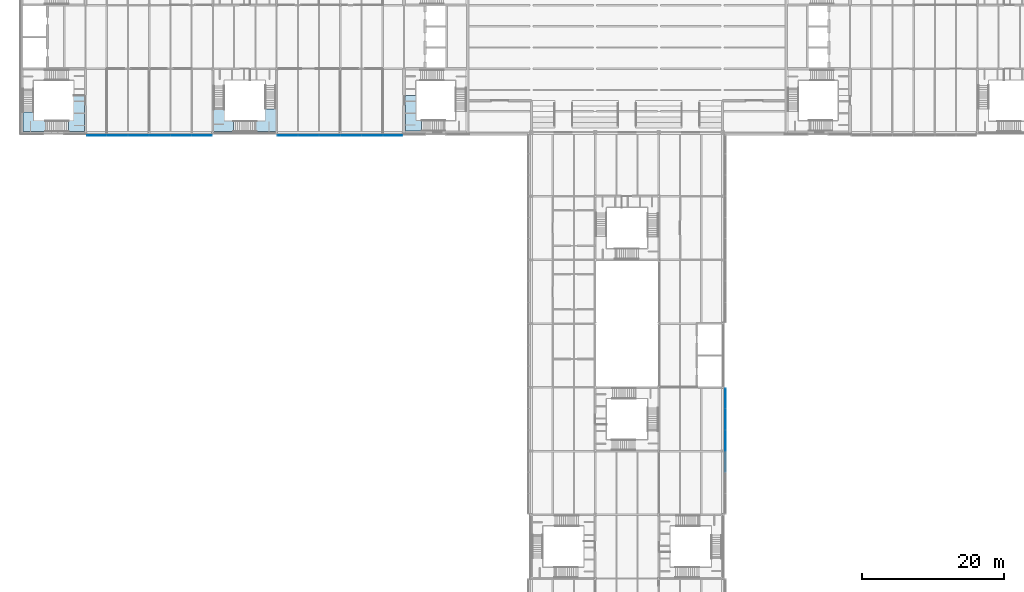
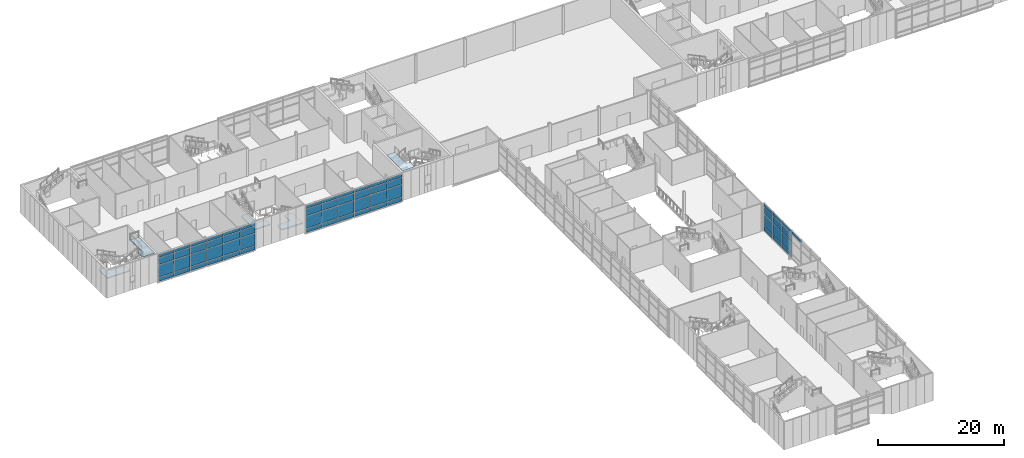
# One storey, part 27 of 52: 61 plates, 5 slabs, 6 elements without a shape of their own.
"""IFC4 building model written with IfcOpenShell, lengths in metres."""

from ifc_helpers import new_model, si_unit, direction, frame, origin, origin_2d, place, context, subcontext, project, spatial, polyline, rectangle, outline, extrude, material, layer, layer_set, type_object, element, aggregate, save


model = new_model("IFC4")

# Units and contexts
model_context = context("Model", 3, precision=1e-05, world=origin(), true_north=direction((0.0, 1.0)))
body_context = subcontext(model_context, "Body", "Model", "MODEL_VIEW")
ifc_project = project(units=[si_unit("LENGTHUNIT", "METRE"), si_unit("AREAUNIT", "SQUARE_METRE"), si_unit("VOLUMEUNIT", "CUBIC_METRE"), si_unit("PLANEANGLEUNIT", "RADIAN"), si_unit("MASSUNIT", "GRAM", prefix="KILO")], contexts=[model_context])

# Site, building, storey
site_placement = place(None, origin())
site = spatial("IfcSite", under=ifc_project, at=site_placement, CompositionType="ELEMENT")
building_placement = place(site_placement, origin())
building = spatial("IfcBuilding", under=site, at=building_placement, Name="Azimuth Sports and Learning Centre", CompositionType="ELEMENT")
storey_placement = place(building_placement, frame((0.0, 0.0, 16.199951171875)))
storey = spatial("IfcBuildingStorey", under=building, at=storey_placement, Name="L03", CompositionType="ELEMENT", Elevation=16.199951171875)

# Stair, slab
ifc_material_1 = material(Name="Concrete C32/40", Category="concrete")
stair_type_1 = type_object("IfcStairType", Name="Square-well stair core 5400 storey", PredefinedType="THREE_QUARTER_TURN_STAIR", material=ifc_material_1)
stair_1_placement = place(storey_placement, origin())
stair_1 = element("IfcStair", 1, at=stair_1_placement, inside=storey, type_object=stair_type_1, Name="Stair W1 L03-L04", PredefinedType="THREE_QUARTER_TURN_STAIR")
ifc_material_2 = material(Name="Concrete C32/40", Category="concrete")
ifc_layer_1 = layer(ifc_material_2, 0.199951171875)
ifc_layer_set_1 = layer_set([ifc_layer_1], Name="Concrete C32/40")
slab_type = type_object("IfcSlabType", Name="Concrete stair landing", PredefinedType="LANDING", material=ifc_layer_set_1)
slab_1_placement = place(storey_placement, frame((0.0, 0.0, 5.199951171875)))
slab_1 = element("IfcSlab", 2, at=slab_1_placement, type_object=slab_type, Name="Stair W1 L03 landing 4", PredefinedType="LANDING", context=body_context, shape_type="SweptSolid", body=[
    extrude(outline(polyline([(55.7099609375, 91.7099609375), (55.7099609375, 95.25), (54.2099609375, 95.25), (54.2099609375, 90.2099609375), (56.49072265625, 90.2099609375), (56.49072265625, 91.7099609375), (55.7099609375, 91.7099609375)])), origin(), (0.0, 0.0, 1.0), 0.2001953125),
])
aggregate(stair_1, [slab_1])

# Stair, slabs
ifc_material_3 = material(Name="Concrete C32/40", Category="concrete")
stair_type_2 = type_object("IfcStairType", Name="Square-well stair end core 5400 storey", PredefinedType="THREE_QUARTER_TURN_STAIR", material=ifc_material_3)
stair_2_placement = place(storey_placement, origin())
stair_2 = element("IfcStair", 3, at=stair_2_placement, inside=storey, type_object=stair_type_2, Name="Stair WW1 L03-L04", PredefinedType="THREE_QUARTER_TURN_STAIR")
slab_2_placement = place(storey_placement, frame((0.0, 0.0, 3.400146484375)))
slab_2 = element("IfcSlab", 4, at=slab_2_placement, type_object=slab_type, Name="Stair WW1 L03 landing 3", PredefinedType="LANDING", context=body_context, shape_type="SweptSolid", body=[
    extrude(outline(polyline([(1.659912109375, 91.659912109375), (1.659912109375, 92.86572265625), (0.159912109375, 92.86572265625), (0.159912109375, 90.159912109375), (4.409912109375, 90.159912109375), (4.409912109375, 91.659912109375), (1.659912109375, 91.659912109375)])), origin(), (0.0, 0.0, 1.0), 0.199951171875),
])
slab_3_placement = place(storey_placement, frame((0.0, 0.0, 5.199951171875)))
slab_3 = element("IfcSlab", 5, at=slab_3_placement, type_object=slab_type, Name="Stair WW1 L03 landing 4", PredefinedType="LANDING", context=body_context, shape_type="SweptSolid", body=[
    extrude(outline(polyline([(7.340087890625, 91.659912109375), (6.609375, 91.659912109375), (6.609375, 90.159912109375), (8.840087890625, 90.159912109375), (8.840087890625, 95.25), (7.340087890625, 95.25), (7.340087890625, 91.659912109375)])), origin(), (0.0, 0.0, 1.0), 0.2001953125),
])
aggregate(stair_2, [slab_2, slab_3])

ifc_material_4 = material(Name="Concrete C32/40", Category="concrete")
stair_type_3 = type_object("IfcStairType", Name="Square-well stair mid-wing cell 5400 storey", PredefinedType="THREE_QUARTER_TURN_STAIR", material=ifc_material_4)
stair_3_placement = place(storey_placement, origin())
stair_3 = element("IfcStair", 6, at=stair_3_placement, inside=storey, type_object=stair_type_3, Name="Stair WM1 L03-L04", PredefinedType="THREE_QUARTER_TURN_STAIR")
slab_4_placement = place(storey_placement, frame((0.0, 0.0, 1.60009765625)))
slab_4 = element("IfcSlab", 7, at=slab_4_placement, type_object=slab_type, Name="Stair WM1 L03 landing 2", PredefinedType="LANDING", context=body_context, shape_type="SweptSolid", body=[
    extrude(outline(polyline([(34.389892578125, 91.610107421875), (32.090087890625, 91.610107421875), (32.090087890625, 90.110107421875), (35.889892578125, 90.110107421875), (35.889892578125, 93.3408203125), (34.389892578125, 93.3408203125), (34.389892578125, 91.610107421875)])), origin(), (0.0, 0.0, 1.0), 0.199951171875),
])
slab_5_placement = place(storey_placement, frame((0.0, 0.0, 3.400146484375)))
slab_5 = element("IfcSlab", 8, at=slab_5_placement, type_object=slab_type, Name="Stair WM1 L03 landing 3", PredefinedType="LANDING", context=body_context, shape_type="SweptSolid", body=[
    extrude(outline(polyline([(28.610107421875, 91.610107421875), (28.610107421875, 94.360107421875), (27.110107421875, 94.360107421875), (27.110107421875, 90.110107421875), (29.890625, 90.110107421875), (29.890625, 91.610107421875), (28.610107421875, 91.610107421875)])), origin(), (0.0, 0.0, 1.0), 0.199951171875),
])
aggregate(stair_3, [slab_4, slab_5])

# Curtain wall, plates
ifc_material_5 = material(Name="Aluminium and glass", Category="aluminium")
curtain_wall_type_1 = type_object("IfcCurtainWallType", Name="Curtain wall podium wing 240", PredefinedType="NOTDEFINED", material=ifc_material_5)
curtain_wall_1_placement = place(storey_placement, origin())
curtain_wall_1 = element("IfcCurtainWall", 9, at=curtain_wall_1_placement, inside=storey, type_object=curtain_wall_type_1, Name="Curtain wall CW03-001", PredefinedType="NOTDEFINED")
ifc_material_6 = material(Name="Insulated aluminium panel", Category="aluminium")
ifc_layer_2 = layer(ifc_material_6, 0.06005859375)
ifc_layer_set_2 = layer_set([ifc_layer_2], Name="Insulated aluminium panel")
plate_type_1 = type_object("IfcPlateType", Name="Spandrel panel 60 mm", PredefinedType="CURTAIN_PANEL", material=ifc_layer_set_2)
plate_1_placement = place(storey_placement, frame((10.594970703125, 89.580078125, 0.1201171875), z_axis=(0.0, 0.0, 1.0), x_axis=(1.0, 0.0, 0.0)))
plate_1 = element("IfcPlate", 10, at=plate_1_placement, type_object=plate_type_1, Name="CW03-001 panel 1.1", PredefinedType="CURTAIN_PANEL", context=body_context, shape_type="SweptSolid", body=[
    extrude(rectangle(XDim=2.72998046875, YDim=0.06005859375, at=origin_2d()), origin(), (0.0, 0.0, 1.0), 0.719970703125),
])
plate_2_placement = place(storey_placement, frame((10.594970703125, 89.580078125, 4.760009765625), z_axis=(0.0, 0.0, 1.0), x_axis=(1.0, 0.0, 0.0)))
plate_2 = element("IfcPlate", 11, at=plate_2_placement, type_object=plate_type_1, Name="CW03-001 panel 1.4", PredefinedType="CURTAIN_PANEL", context=body_context, shape_type="SweptSolid", body=[
    extrude(rectangle(XDim=2.72998046875, YDim=0.06005859375, at=origin_2d()), origin(), (0.0, 0.0, 1.0), 0.52001953125),
])
plate_3_placement = place(storey_placement, frame((13.5, 89.580078125, 0.1201171875), z_axis=(0.0, 0.0, 1.0), x_axis=(1.0, 0.0, 0.0)))
plate_3 = element("IfcPlate", 12, at=plate_3_placement, type_object=plate_type_1, Name="CW03-001 panel 2.1", PredefinedType="CURTAIN_PANEL", context=body_context, shape_type="SweptSolid", body=[
    extrude(rectangle(XDim=2.919921875, YDim=0.06005859375, at=origin_2d()), origin(), (0.0, 0.0, 1.0), 0.719970703125),
])
plate_4_placement = place(storey_placement, frame((13.5, 89.580078125, 4.760009765625), z_axis=(0.0, 0.0, 1.0), x_axis=(1.0, 0.0, 0.0)))
plate_4 = element("IfcPlate", 13, at=plate_4_placement, type_object=plate_type_1, Name="CW03-001 panel 2.4", PredefinedType="CURTAIN_PANEL", context=body_context, shape_type="SweptSolid", body=[
    extrude(rectangle(XDim=2.919921875, YDim=0.06005859375, at=origin_2d()), origin(), (0.0, 0.0, 1.0), 0.52001953125),
])
plate_5_placement = place(storey_placement, frame((16.5, 89.580078125, 0.1201171875), z_axis=(0.0, 0.0, 1.0), x_axis=(1.0, 0.0, 0.0)))
plate_5 = element("IfcPlate", 14, at=plate_5_placement, type_object=plate_type_1, Name="CW03-001 panel 3.1", PredefinedType="CURTAIN_PANEL", context=body_context, shape_type="SweptSolid", body=[
    extrude(rectangle(XDim=2.919921875, YDim=0.06005859375, at=origin_2d()), origin(), (0.0, 0.0, 1.0), 0.719970703125),
])
plate_6_placement = place(storey_placement, frame((16.5, 89.580078125, 4.760009765625), z_axis=(0.0, 0.0, 1.0), x_axis=(1.0, 0.0, 0.0)))
plate_6 = element("IfcPlate", 15, at=plate_6_placement, type_object=plate_type_1, Name="CW03-001 panel 3.4", PredefinedType="CURTAIN_PANEL", context=body_context, shape_type="SweptSolid", body=[
    extrude(rectangle(XDim=2.919921875, YDim=0.06005859375, at=origin_2d()), origin(), (0.0, 0.0, 1.0), 0.52001953125),
])
plate_7_placement = place(storey_placement, frame((19.5, 89.580078125, 0.1201171875), z_axis=(0.0, 0.0, 1.0), x_axis=(1.0, 0.0, 0.0)))
plate_7 = element("IfcPlate", 16, at=plate_7_placement, type_object=plate_type_1, Name="CW03-001 panel 4.1", PredefinedType="CURTAIN_PANEL", context=body_context, shape_type="SweptSolid", body=[
    extrude(rectangle(XDim=2.919921875, YDim=0.06005859375, at=origin_2d()), origin(), (0.0, 0.0, 1.0), 0.719970703125),
])
plate_8_placement = place(storey_placement, frame((19.5, 89.580078125, 4.760009765625), z_axis=(0.0, 0.0, 1.0), x_axis=(1.0, 0.0, 0.0)))
plate_8 = element("IfcPlate", 17, at=plate_8_placement, type_object=plate_type_1, Name="CW03-001 panel 4.4", PredefinedType="CURTAIN_PANEL", context=body_context, shape_type="SweptSolid", body=[
    extrude(rectangle(XDim=2.919921875, YDim=0.06005859375, at=origin_2d()), origin(), (0.0, 0.0, 1.0), 0.52001953125),
])
plate_9_placement = place(storey_placement, frame((22.5, 89.580078125, 0.1201171875), z_axis=(0.0, 0.0, 1.0), x_axis=(1.0, 0.0, 0.0)))
plate_9 = element("IfcPlate", 18, at=plate_9_placement, type_object=plate_type_1, Name="CW03-001 panel 5.1", PredefinedType="CURTAIN_PANEL", context=body_context, shape_type="SweptSolid", body=[
    extrude(rectangle(XDim=2.919921875, YDim=0.06005859375, at=origin_2d()), origin(), (0.0, 0.0, 1.0), 0.719970703125),
])
plate_10_placement = place(storey_placement, frame((22.5, 89.580078125, 4.760009765625), z_axis=(0.0, 0.0, 1.0), x_axis=(1.0, 0.0, 0.0)))
plate_10 = element("IfcPlate", 19, at=plate_10_placement, type_object=plate_type_1, Name="CW03-001 panel 5.4", PredefinedType="CURTAIN_PANEL", context=body_context, shape_type="SweptSolid", body=[
    extrude(rectangle(XDim=2.919921875, YDim=0.06005859375, at=origin_2d()), origin(), (0.0, 0.0, 1.0), 0.52001953125),
])
plate_11_placement = place(storey_placement, frame((25.429931640625, 89.580078125, 0.1201171875), z_axis=(0.0, 0.0, 1.0), x_axis=(1.0, 0.0, 0.0)))
plate_11 = element("IfcPlate", 20, at=plate_11_placement, type_object=plate_type_1, Name="CW03-001 panel 6.1", PredefinedType="CURTAIN_PANEL", context=body_context, shape_type="SweptSolid", body=[
    extrude(rectangle(XDim=2.780029296875, YDim=0.06005859375, at=origin_2d()), origin(), (0.0, 0.0, 1.0), 0.719970703125),
])
plate_12_placement = place(storey_placement, frame((25.429931640625, 89.580078125, 4.760009765625), z_axis=(0.0, 0.0, 1.0), x_axis=(1.0, 0.0, 0.0)))
plate_12 = element("IfcPlate", 21, at=plate_12_placement, type_object=plate_type_1, Name="CW03-001 panel 6.4", PredefinedType="CURTAIN_PANEL", context=body_context, shape_type="SweptSolid", body=[
    extrude(rectangle(XDim=2.780029296875, YDim=0.06005859375, at=origin_2d()), origin(), (0.0, 0.0, 1.0), 0.52001953125),
])

curtain_wall_2_placement = place(storey_placement, origin())
curtain_wall_2 = element("IfcCurtainWall", 22, at=curtain_wall_2_placement, inside=storey, type_object=curtain_wall_type_1, Name="Curtain wall CW03-002", PredefinedType="NOTDEFINED")
plate_13_placement = place(storey_placement, frame((37.570068359375, 89.580078125, 0.1201171875), z_axis=(0.0, 0.0, 1.0), x_axis=(1.0, 0.0, 0.0)))
plate_13 = element("IfcPlate", 23, at=plate_13_placement, type_object=plate_type_1, Name="CW03-002 panel 1.1", PredefinedType="CURTAIN_PANEL", context=body_context, shape_type="SweptSolid", body=[
    extrude(rectangle(XDim=2.780029296875, YDim=0.06005859375, at=origin_2d()), origin(), (0.0, 0.0, 1.0), 0.719970703125),
])
plate_14_placement = place(storey_placement, frame((37.570068359375, 89.580078125, 4.760009765625), z_axis=(0.0, 0.0, 1.0), x_axis=(1.0, 0.0, 0.0)))
plate_14 = element("IfcPlate", 24, at=plate_14_placement, type_object=plate_type_1, Name="CW03-002 panel 1.4", PredefinedType="CURTAIN_PANEL", context=body_context, shape_type="SweptSolid", body=[
    extrude(rectangle(XDim=2.780029296875, YDim=0.06005859375, at=origin_2d()), origin(), (0.0, 0.0, 1.0), 0.52001953125),
])
plate_15_placement = place(storey_placement, frame((40.5, 89.580078125, 0.1201171875), z_axis=(0.0, 0.0, 1.0), x_axis=(1.0, 0.0, 0.0)))
plate_15 = element("IfcPlate", 25, at=plate_15_placement, type_object=plate_type_1, Name="CW03-002 panel 2.1", PredefinedType="CURTAIN_PANEL", context=body_context, shape_type="SweptSolid", body=[
    extrude(rectangle(XDim=2.919921875, YDim=0.06005859375, at=origin_2d()), origin(), (0.0, 0.0, 1.0), 0.719970703125),
])
plate_16_placement = place(storey_placement, frame((40.5, 89.580078125, 4.760009765625), z_axis=(0.0, 0.0, 1.0), x_axis=(1.0, 0.0, 0.0)))
plate_16 = element("IfcPlate", 26, at=plate_16_placement, type_object=plate_type_1, Name="CW03-002 panel 2.4", PredefinedType="CURTAIN_PANEL", context=body_context, shape_type="SweptSolid", body=[
    extrude(rectangle(XDim=2.919921875, YDim=0.06005859375, at=origin_2d()), origin(), (0.0, 0.0, 1.0), 0.52001953125),
])
plate_17_placement = place(storey_placement, frame((43.5, 89.580078125, 0.1201171875), z_axis=(0.0, 0.0, 1.0), x_axis=(1.0, 0.0, 0.0)))
plate_17 = element("IfcPlate", 27, at=plate_17_placement, type_object=plate_type_1, Name="CW03-002 panel 3.1", PredefinedType="CURTAIN_PANEL", context=body_context, shape_type="SweptSolid", body=[
    extrude(rectangle(XDim=2.919921875, YDim=0.06005859375, at=origin_2d()), origin(), (0.0, 0.0, 1.0), 0.719970703125),
])
plate_18_placement = place(storey_placement, frame((43.5, 89.580078125, 4.760009765625), z_axis=(0.0, 0.0, 1.0), x_axis=(1.0, 0.0, 0.0)))
plate_18 = element("IfcPlate", 28, at=plate_18_placement, type_object=plate_type_1, Name="CW03-002 panel 3.4", PredefinedType="CURTAIN_PANEL", context=body_context, shape_type="SweptSolid", body=[
    extrude(rectangle(XDim=2.919921875, YDim=0.06005859375, at=origin_2d()), origin(), (0.0, 0.0, 1.0), 0.52001953125),
])
plate_19_placement = place(storey_placement, frame((46.5, 89.580078125, 0.1201171875), z_axis=(0.0, 0.0, 1.0), x_axis=(1.0, 0.0, 0.0)))
plate_19 = element("IfcPlate", 29, at=plate_19_placement, type_object=plate_type_1, Name="CW03-002 panel 4.1", PredefinedType="CURTAIN_PANEL", context=body_context, shape_type="SweptSolid", body=[
    extrude(rectangle(XDim=2.919921875, YDim=0.06005859375, at=origin_2d()), origin(), (0.0, 0.0, 1.0), 0.719970703125),
])
plate_20_placement = place(storey_placement, frame((46.5, 89.580078125, 4.760009765625), z_axis=(0.0, 0.0, 1.0), x_axis=(1.0, 0.0, 0.0)))
plate_20 = element("IfcPlate", 30, at=plate_20_placement, type_object=plate_type_1, Name="CW03-002 panel 4.4", PredefinedType="CURTAIN_PANEL", context=body_context, shape_type="SweptSolid", body=[
    extrude(rectangle(XDim=2.919921875, YDim=0.06005859375, at=origin_2d()), origin(), (0.0, 0.0, 1.0), 0.52001953125),
])
plate_21_placement = place(storey_placement, frame((49.5, 89.580078125, 0.1201171875), z_axis=(0.0, 0.0, 1.0), x_axis=(1.0, 0.0, 0.0)))
plate_21 = element("IfcPlate", 31, at=plate_21_placement, type_object=plate_type_1, Name="CW03-002 panel 5.1", PredefinedType="CURTAIN_PANEL", context=body_context, shape_type="SweptSolid", body=[
    extrude(rectangle(XDim=2.919921875, YDim=0.06005859375, at=origin_2d()), origin(), (0.0, 0.0, 1.0), 0.719970703125),
])
plate_22_placement = place(storey_placement, frame((49.5, 89.580078125, 4.760009765625), z_axis=(0.0, 0.0, 1.0), x_axis=(1.0, 0.0, 0.0)))
plate_22 = element("IfcPlate", 32, at=plate_22_placement, type_object=plate_type_1, Name="CW03-002 panel 5.4", PredefinedType="CURTAIN_PANEL", context=body_context, shape_type="SweptSolid", body=[
    extrude(rectangle(XDim=2.919921875, YDim=0.06005859375, at=origin_2d()), origin(), (0.0, 0.0, 1.0), 0.52001953125),
])
plate_23_placement = place(storey_placement, frame((52.3798828125, 89.580078125, 0.1201171875), z_axis=(0.0, 0.0, 1.0), x_axis=(1.0, 0.0, 0.0)))
plate_23 = element("IfcPlate", 33, at=plate_23_placement, type_object=plate_type_1, Name="CW03-002 panel 6.1", PredefinedType="CURTAIN_PANEL", context=body_context, shape_type="SweptSolid", body=[
    extrude(rectangle(XDim=2.679931640625, YDim=0.06005859375, at=origin_2d()), origin(), (0.0, 0.0, 1.0), 0.719970703125),
])
plate_24_placement = place(storey_placement, frame((52.3798828125, 89.580078125, 4.760009765625), z_axis=(0.0, 0.0, 1.0), x_axis=(1.0, 0.0, 0.0)))
plate_24 = element("IfcPlate", 34, at=plate_24_placement, type_object=plate_type_1, Name="CW03-002 panel 6.4", PredefinedType="CURTAIN_PANEL", context=body_context, shape_type="SweptSolid", body=[
    extrude(rectangle(XDim=2.679931640625, YDim=0.06005859375, at=origin_2d()), origin(), (0.0, 0.0, 1.0), 0.52001953125),
])

ifc_material_7 = material(Name="Aluminium and glass", Category="aluminium")
curtain_wall_type_2 = type_object("IfcCurtainWallType", Name="Curtain wall podium stem 240", PredefinedType="NOTDEFINED", material=ifc_material_7)
curtain_wall_3_placement = place(storey_placement, origin())
curtain_wall_3 = element("IfcCurtainWall", 35, at=curtain_wall_3_placement, inside=storey, type_object=curtain_wall_type_2, Name="Curtain wall CW03-007", PredefinedType="NOTDEFINED")
plate_25_placement = place(storey_placement, frame((99.419921875, 43.5, 4.760009765625), z_axis=(0.0, 0.0, 1.0), x_axis=(0.0, 1.0, 0.0)))
plate_25 = element("IfcPlate", 36, at=plate_25_placement, type_object=plate_type_1, Name="CW03-007 panel 3.4", PredefinedType="CURTAIN_PANEL", context=body_context, shape_type="SweptSolid", body=[
    extrude(rectangle(XDim=2.919921875, YDim=0.06005859375, at=origin_2d()), origin(), (0.0, 0.0, 1.0), 0.52001953125),
])
plate_26_placement = place(storey_placement, frame((99.419921875, 46.5, 0.1201171875), z_axis=(0.0, 0.0, 1.0), x_axis=(0.0, 1.0, 0.0)))
plate_26 = element("IfcPlate", 37, at=plate_26_placement, type_object=plate_type_1, Name="CW03-007 panel 4.1", PredefinedType="CURTAIN_PANEL", context=body_context, shape_type="SweptSolid", body=[
    extrude(rectangle(XDim=2.919921875, YDim=0.06005859375, at=origin_2d()), origin(), (0.0, 0.0, 1.0), 0.719970703125),
])
plate_27_placement = place(storey_placement, frame((99.419921875, 46.5, 4.760009765625), z_axis=(0.0, 0.0, 1.0), x_axis=(0.0, 1.0, 0.0)))
plate_27 = element("IfcPlate", 38, at=plate_27_placement, type_object=plate_type_1, Name="CW03-007 panel 4.4", PredefinedType="CURTAIN_PANEL", context=body_context, shape_type="SweptSolid", body=[
    extrude(rectangle(XDim=2.919921875, YDim=0.06005859375, at=origin_2d()), origin(), (0.0, 0.0, 1.0), 0.52001953125),
])
plate_28_placement = place(storey_placement, frame((99.419921875, 49.5, 0.1201171875), z_axis=(0.0, 0.0, 1.0), x_axis=(0.0, 1.0, 0.0)))
plate_28 = element("IfcPlate", 39, at=plate_28_placement, type_object=plate_type_1, Name="CW03-007 panel 5.1", PredefinedType="CURTAIN_PANEL", context=body_context, shape_type="SweptSolid", body=[
    extrude(rectangle(XDim=2.919921875, YDim=0.06005859375, at=origin_2d()), origin(), (0.0, 0.0, 1.0), 0.719970703125),
])
plate_29_placement = place(storey_placement, frame((99.419921875, 49.5, 4.760009765625), z_axis=(0.0, 0.0, 1.0), x_axis=(0.0, 1.0, 0.0)))
plate_29 = element("IfcPlate", 40, at=plate_29_placement, type_object=plate_type_1, Name="CW03-007 panel 5.4", PredefinedType="CURTAIN_PANEL", context=body_context, shape_type="SweptSolid", body=[
    extrude(rectangle(XDim=2.919921875, YDim=0.06005859375, at=origin_2d()), origin(), (0.0, 0.0, 1.0), 0.52001953125),
])
plate_30_placement = place(storey_placement, frame((99.419921875, 52.429931640625, 0.1201171875), z_axis=(0.0, 0.0, 1.0), x_axis=(0.0, 1.0, 0.0)))
plate_30 = element("IfcPlate", 41, at=plate_30_placement, type_object=plate_type_1, Name="CW03-007 panel 6.1", PredefinedType="CURTAIN_PANEL", context=body_context, shape_type="SweptSolid", body=[
    extrude(rectangle(XDim=2.780029296875, YDim=0.06005859375, at=origin_2d()), origin(), (0.0, 0.0, 1.0), 0.719970703125),
])
plate_31_placement = place(storey_placement, frame((99.419921875, 52.429931640625, 4.760009765625), z_axis=(0.0, 0.0, 1.0), x_axis=(0.0, 1.0, 0.0)))
plate_31 = element("IfcPlate", 42, at=plate_31_placement, type_object=plate_type_1, Name="CW03-007 panel 6.4", PredefinedType="CURTAIN_PANEL", context=body_context, shape_type="SweptSolid", body=[
    extrude(rectangle(XDim=2.780029296875, YDim=0.06005859375, at=origin_2d()), origin(), (0.0, 0.0, 1.0), 0.52001953125),
])

# Plate
ifc_material_8 = material(Name="Glass", Category="glass")
ifc_layer_3 = layer(ifc_material_8, 0.0439453125)
ifc_layer_set_3 = layer_set([ifc_layer_3], Name="Glass")
plate_type_2 = type_object("IfcPlateType", Name="Vision glass 44 mm", PredefinedType="CURTAIN_PANEL", material=ifc_layer_set_3)
plate_32_placement = place(storey_placement, frame((10.594970703125, 89.580078125, 0.9599609375), z_axis=(0.0, 0.0, 1.0), x_axis=(1.0, 0.0, 0.0)))
plate_32 = element("IfcPlate", 43, at=plate_32_placement, type_object=plate_type_2, Name="CW03-001 panel 1.2", PredefinedType="CURTAIN_PANEL", context=body_context, shape_type="SweptSolid", body=[
    extrude(rectangle(XDim=2.72998046875, YDim=0.0439453125, at=origin_2d()), origin(), (0.0, 0.0, 1.0), 2.280029296875),
])

plate_33_placement = place(storey_placement, frame((10.594970703125, 89.580078125, 3.35986328125), z_axis=(0.0, 0.0, 1.0), x_axis=(1.0, 0.0, 0.0)))
plate_33 = element("IfcPlate", 44, at=plate_33_placement, type_object=plate_type_2, Name="CW03-001 panel 1.3", PredefinedType="CURTAIN_PANEL", context=body_context, shape_type="SweptSolid", body=[
    extrude(rectangle(XDim=2.72998046875, YDim=0.0439453125, at=origin_2d()), origin(), (0.0, 0.0, 1.0), 1.280029296875),
])

plate_34_placement = place(storey_placement, frame((13.5, 89.580078125, 0.9599609375), z_axis=(0.0, 0.0, 1.0), x_axis=(1.0, 0.0, 0.0)))
plate_34 = element("IfcPlate", 45, at=plate_34_placement, type_object=plate_type_2, Name="CW03-001 panel 2.2", PredefinedType="CURTAIN_PANEL", context=body_context, shape_type="SweptSolid", body=[
    extrude(rectangle(XDim=2.919921875, YDim=0.0439453125, at=origin_2d()), origin(), (0.0, 0.0, 1.0), 2.280029296875),
])

plate_35_placement = place(storey_placement, frame((13.5, 89.580078125, 3.35986328125), z_axis=(0.0, 0.0, 1.0), x_axis=(1.0, 0.0, 0.0)))
plate_35 = element("IfcPlate", 46, at=plate_35_placement, type_object=plate_type_2, Name="CW03-001 panel 2.3", PredefinedType="CURTAIN_PANEL", context=body_context, shape_type="SweptSolid", body=[
    extrude(rectangle(XDim=2.919921875, YDim=0.0439453125, at=origin_2d()), origin(), (0.0, 0.0, 1.0), 1.280029296875),
])

plate_36_placement = place(storey_placement, frame((16.5, 89.580078125, 0.9599609375), z_axis=(0.0, 0.0, 1.0), x_axis=(1.0, 0.0, 0.0)))
plate_36 = element("IfcPlate", 47, at=plate_36_placement, type_object=plate_type_2, Name="CW03-001 panel 3.2", PredefinedType="CURTAIN_PANEL", context=body_context, shape_type="SweptSolid", body=[
    extrude(rectangle(XDim=2.919921875, YDim=0.0439453125, at=origin_2d()), origin(), (0.0, 0.0, 1.0), 2.280029296875),
])

plate_37_placement = place(storey_placement, frame((16.5, 89.580078125, 3.35986328125), z_axis=(0.0, 0.0, 1.0), x_axis=(1.0, 0.0, 0.0)))
plate_37 = element("IfcPlate", 48, at=plate_37_placement, type_object=plate_type_2, Name="CW03-001 panel 3.3", PredefinedType="CURTAIN_PANEL", context=body_context, shape_type="SweptSolid", body=[
    extrude(rectangle(XDim=2.919921875, YDim=0.0439453125, at=origin_2d()), origin(), (0.0, 0.0, 1.0), 1.280029296875),
])

plate_38_placement = place(storey_placement, frame((19.5, 89.580078125, 0.9599609375), z_axis=(0.0, 0.0, 1.0), x_axis=(1.0, 0.0, 0.0)))
plate_38 = element("IfcPlate", 49, at=plate_38_placement, type_object=plate_type_2, Name="CW03-001 panel 4.2", PredefinedType="CURTAIN_PANEL", context=body_context, shape_type="SweptSolid", body=[
    extrude(rectangle(XDim=2.919921875, YDim=0.0439453125, at=origin_2d()), origin(), (0.0, 0.0, 1.0), 2.280029296875),
])

plate_39_placement = place(storey_placement, frame((19.5, 89.580078125, 3.35986328125), z_axis=(0.0, 0.0, 1.0), x_axis=(1.0, 0.0, 0.0)))
plate_39 = element("IfcPlate", 50, at=plate_39_placement, type_object=plate_type_2, Name="CW03-001 panel 4.3", PredefinedType="CURTAIN_PANEL", context=body_context, shape_type="SweptSolid", body=[
    extrude(rectangle(XDim=2.919921875, YDim=0.0439453125, at=origin_2d()), origin(), (0.0, 0.0, 1.0), 1.280029296875),
])

plate_40_placement = place(storey_placement, frame((22.5, 89.580078125, 0.9599609375), z_axis=(0.0, 0.0, 1.0), x_axis=(1.0, 0.0, 0.0)))
plate_40 = element("IfcPlate", 51, at=plate_40_placement, type_object=plate_type_2, Name="CW03-001 panel 5.2", PredefinedType="CURTAIN_PANEL", context=body_context, shape_type="SweptSolid", body=[
    extrude(rectangle(XDim=2.919921875, YDim=0.0439453125, at=origin_2d()), origin(), (0.0, 0.0, 1.0), 2.280029296875),
])

plate_41_placement = place(storey_placement, frame((22.5, 89.580078125, 3.35986328125), z_axis=(0.0, 0.0, 1.0), x_axis=(1.0, 0.0, 0.0)))
plate_41 = element("IfcPlate", 52, at=plate_41_placement, type_object=plate_type_2, Name="CW03-001 panel 5.3", PredefinedType="CURTAIN_PANEL", context=body_context, shape_type="SweptSolid", body=[
    extrude(rectangle(XDim=2.919921875, YDim=0.0439453125, at=origin_2d()), origin(), (0.0, 0.0, 1.0), 1.280029296875),
])

plate_42_placement = place(storey_placement, frame((25.429931640625, 89.580078125, 0.9599609375), z_axis=(0.0, 0.0, 1.0), x_axis=(1.0, 0.0, 0.0)))
plate_42 = element("IfcPlate", 53, at=plate_42_placement, type_object=plate_type_2, Name="CW03-001 panel 6.2", PredefinedType="CURTAIN_PANEL", context=body_context, shape_type="SweptSolid", body=[
    extrude(rectangle(XDim=2.780029296875, YDim=0.0439453125, at=origin_2d()), origin(), (0.0, 0.0, 1.0), 2.280029296875),
])

plate_43_placement = place(storey_placement, frame((25.429931640625, 89.580078125, 3.35986328125), z_axis=(0.0, 0.0, 1.0), x_axis=(1.0, 0.0, 0.0)))
plate_43 = element("IfcPlate", 54, at=plate_43_placement, type_object=plate_type_2, Name="CW03-001 panel 6.3", PredefinedType="CURTAIN_PANEL", context=body_context, shape_type="SweptSolid", body=[
    extrude(rectangle(XDim=2.780029296875, YDim=0.0439453125, at=origin_2d()), origin(), (0.0, 0.0, 1.0), 1.280029296875),
])

aggregate(curtain_wall_1, [plate_1, plate_32, plate_33, plate_2, plate_3, plate_34, plate_35, plate_4, plate_5, plate_36, plate_37, plate_6, plate_7, plate_38, plate_39, plate_8, plate_9, plate_40, plate_41, plate_10, plate_11, plate_42, plate_43, plate_12])

plate_44_placement = place(storey_placement, frame((37.570068359375, 89.580078125, 0.9599609375), z_axis=(0.0, 0.0, 1.0), x_axis=(1.0, 0.0, 0.0)))
plate_44 = element("IfcPlate", 55, at=plate_44_placement, type_object=plate_type_2, Name="CW03-002 panel 1.2", PredefinedType="CURTAIN_PANEL", context=body_context, shape_type="SweptSolid", body=[
    extrude(rectangle(XDim=2.780029296875, YDim=0.0439453125, at=origin_2d()), origin(), (0.0, 0.0, 1.0), 2.280029296875),
])

plate_45_placement = place(storey_placement, frame((37.570068359375, 89.580078125, 3.35986328125), z_axis=(0.0, 0.0, 1.0), x_axis=(1.0, 0.0, 0.0)))
plate_45 = element("IfcPlate", 56, at=plate_45_placement, type_object=plate_type_2, Name="CW03-002 panel 1.3", PredefinedType="CURTAIN_PANEL", context=body_context, shape_type="SweptSolid", body=[
    extrude(rectangle(XDim=2.780029296875, YDim=0.0439453125, at=origin_2d()), origin(), (0.0, 0.0, 1.0), 1.280029296875),
])

plate_46_placement = place(storey_placement, frame((40.5, 89.580078125, 0.9599609375), z_axis=(0.0, 0.0, 1.0), x_axis=(1.0, 0.0, 0.0)))
plate_46 = element("IfcPlate", 57, at=plate_46_placement, type_object=plate_type_2, Name="CW03-002 panel 2.2", PredefinedType="CURTAIN_PANEL", context=body_context, shape_type="SweptSolid", body=[
    extrude(rectangle(XDim=2.919921875, YDim=0.0439453125, at=origin_2d()), origin(), (0.0, 0.0, 1.0), 2.280029296875),
])

plate_47_placement = place(storey_placement, frame((40.5, 89.580078125, 3.35986328125), z_axis=(0.0, 0.0, 1.0), x_axis=(1.0, 0.0, 0.0)))
plate_47 = element("IfcPlate", 58, at=plate_47_placement, type_object=plate_type_2, Name="CW03-002 panel 2.3", PredefinedType="CURTAIN_PANEL", context=body_context, shape_type="SweptSolid", body=[
    extrude(rectangle(XDim=2.919921875, YDim=0.0439453125, at=origin_2d()), origin(), (0.0, 0.0, 1.0), 1.280029296875),
])

plate_48_placement = place(storey_placement, frame((43.5, 89.580078125, 0.9599609375), z_axis=(0.0, 0.0, 1.0), x_axis=(1.0, 0.0, 0.0)))
plate_48 = element("IfcPlate", 59, at=plate_48_placement, type_object=plate_type_2, Name="CW03-002 panel 3.2", PredefinedType="CURTAIN_PANEL", context=body_context, shape_type="SweptSolid", body=[
    extrude(rectangle(XDim=2.919921875, YDim=0.0439453125, at=origin_2d()), origin(), (0.0, 0.0, 1.0), 2.280029296875),
])

plate_49_placement = place(storey_placement, frame((43.5, 89.580078125, 3.35986328125), z_axis=(0.0, 0.0, 1.0), x_axis=(1.0, 0.0, 0.0)))
plate_49 = element("IfcPlate", 60, at=plate_49_placement, type_object=plate_type_2, Name="CW03-002 panel 3.3", PredefinedType="CURTAIN_PANEL", context=body_context, shape_type="SweptSolid", body=[
    extrude(rectangle(XDim=2.919921875, YDim=0.0439453125, at=origin_2d()), origin(), (0.0, 0.0, 1.0), 1.280029296875),
])

plate_50_placement = place(storey_placement, frame((46.5, 89.580078125, 0.9599609375), z_axis=(0.0, 0.0, 1.0), x_axis=(1.0, 0.0, 0.0)))
plate_50 = element("IfcPlate", 61, at=plate_50_placement, type_object=plate_type_2, Name="CW03-002 panel 4.2", PredefinedType="CURTAIN_PANEL", context=body_context, shape_type="SweptSolid", body=[
    extrude(rectangle(XDim=2.919921875, YDim=0.0439453125, at=origin_2d()), origin(), (0.0, 0.0, 1.0), 2.280029296875),
])

plate_51_placement = place(storey_placement, frame((46.5, 89.580078125, 3.35986328125), z_axis=(0.0, 0.0, 1.0), x_axis=(1.0, 0.0, 0.0)))
plate_51 = element("IfcPlate", 62, at=plate_51_placement, type_object=plate_type_2, Name="CW03-002 panel 4.3", PredefinedType="CURTAIN_PANEL", context=body_context, shape_type="SweptSolid", body=[
    extrude(rectangle(XDim=2.919921875, YDim=0.0439453125, at=origin_2d()), origin(), (0.0, 0.0, 1.0), 1.280029296875),
])

plate_52_placement = place(storey_placement, frame((49.5, 89.580078125, 0.9599609375), z_axis=(0.0, 0.0, 1.0), x_axis=(1.0, 0.0, 0.0)))
plate_52 = element("IfcPlate", 63, at=plate_52_placement, type_object=plate_type_2, Name="CW03-002 panel 5.2", PredefinedType="CURTAIN_PANEL", context=body_context, shape_type="SweptSolid", body=[
    extrude(rectangle(XDim=2.919921875, YDim=0.0439453125, at=origin_2d()), origin(), (0.0, 0.0, 1.0), 2.280029296875),
])

plate_53_placement = place(storey_placement, frame((49.5, 89.580078125, 3.35986328125), z_axis=(0.0, 0.0, 1.0), x_axis=(1.0, 0.0, 0.0)))
plate_53 = element("IfcPlate", 64, at=plate_53_placement, type_object=plate_type_2, Name="CW03-002 panel 5.3", PredefinedType="CURTAIN_PANEL", context=body_context, shape_type="SweptSolid", body=[
    extrude(rectangle(XDim=2.919921875, YDim=0.0439453125, at=origin_2d()), origin(), (0.0, 0.0, 1.0), 1.280029296875),
])

plate_54_placement = place(storey_placement, frame((52.3798828125, 89.580078125, 0.9599609375), z_axis=(0.0, 0.0, 1.0), x_axis=(1.0, 0.0, 0.0)))
plate_54 = element("IfcPlate", 65, at=plate_54_placement, type_object=plate_type_2, Name="CW03-002 panel 6.2", PredefinedType="CURTAIN_PANEL", context=body_context, shape_type="SweptSolid", body=[
    extrude(rectangle(XDim=2.679931640625, YDim=0.0439453125, at=origin_2d()), origin(), (0.0, 0.0, 1.0), 2.280029296875),
])

plate_55_placement = place(storey_placement, frame((52.3798828125, 89.580078125, 3.35986328125), z_axis=(0.0, 0.0, 1.0), x_axis=(1.0, 0.0, 0.0)))
plate_55 = element("IfcPlate", 66, at=plate_55_placement, type_object=plate_type_2, Name="CW03-002 panel 6.3", PredefinedType="CURTAIN_PANEL", context=body_context, shape_type="SweptSolid", body=[
    extrude(rectangle(XDim=2.679931640625, YDim=0.0439453125, at=origin_2d()), origin(), (0.0, 0.0, 1.0), 1.280029296875),
])

aggregate(curtain_wall_2, [plate_13, plate_44, plate_45, plate_14, plate_15, plate_46, plate_47, plate_16, plate_17, plate_48, plate_49, plate_18, plate_19, plate_50, plate_51, plate_20, plate_21, plate_52, plate_53, plate_22, plate_23, plate_54, plate_55, plate_24])

plate_56_placement = place(storey_placement, frame((99.419921875, 46.5, 0.9599609375), z_axis=(0.0, 0.0, 1.0), x_axis=(0.0, 1.0, 0.0)))
plate_56 = element("IfcPlate", 67, at=plate_56_placement, type_object=plate_type_2, Name="CW03-007 panel 4.2", PredefinedType="CURTAIN_PANEL", context=body_context, shape_type="SweptSolid", body=[
    extrude(rectangle(XDim=2.919921875, YDim=0.0439453125, at=origin_2d()), origin(), (0.0, 0.0, 1.0), 2.280029296875),
])

plate_57_placement = place(storey_placement, frame((99.419921875, 46.5, 3.35986328125), z_axis=(0.0, 0.0, 1.0), x_axis=(0.0, 1.0, 0.0)))
plate_57 = element("IfcPlate", 68, at=plate_57_placement, type_object=plate_type_2, Name="CW03-007 panel 4.3", PredefinedType="CURTAIN_PANEL", context=body_context, shape_type="SweptSolid", body=[
    extrude(rectangle(XDim=2.919921875, YDim=0.0439453125, at=origin_2d()), origin(), (0.0, 0.0, 1.0), 1.280029296875),
])

plate_58_placement = place(storey_placement, frame((99.419921875, 49.5, 0.9599609375), z_axis=(0.0, 0.0, 1.0), x_axis=(0.0, 1.0, 0.0)))
plate_58 = element("IfcPlate", 69, at=plate_58_placement, type_object=plate_type_2, Name="CW03-007 panel 5.2", PredefinedType="CURTAIN_PANEL", context=body_context, shape_type="SweptSolid", body=[
    extrude(rectangle(XDim=2.919921875, YDim=0.0439453125, at=origin_2d()), origin(), (0.0, 0.0, 1.0), 2.280029296875),
])

plate_59_placement = place(storey_placement, frame((99.419921875, 49.5, 3.35986328125), z_axis=(0.0, 0.0, 1.0), x_axis=(0.0, 1.0, 0.0)))
plate_59 = element("IfcPlate", 70, at=plate_59_placement, type_object=plate_type_2, Name="CW03-007 panel 5.3", PredefinedType="CURTAIN_PANEL", context=body_context, shape_type="SweptSolid", body=[
    extrude(rectangle(XDim=2.919921875, YDim=0.0439453125, at=origin_2d()), origin(), (0.0, 0.0, 1.0), 1.280029296875),
])

plate_60_placement = place(storey_placement, frame((99.419921875, 52.429931640625, 0.9599609375), z_axis=(0.0, 0.0, 1.0), x_axis=(0.0, 1.0, 0.0)))
plate_60 = element("IfcPlate", 71, at=plate_60_placement, type_object=plate_type_2, Name="CW03-007 panel 6.2", PredefinedType="CURTAIN_PANEL", context=body_context, shape_type="SweptSolid", body=[
    extrude(rectangle(XDim=2.780029296875, YDim=0.0439453125, at=origin_2d()), origin(), (0.0, 0.0, 1.0), 2.280029296875),
])

plate_61_placement = place(storey_placement, frame((99.419921875, 52.429931640625, 3.35986328125), z_axis=(0.0, 0.0, 1.0), x_axis=(0.0, 1.0, 0.0)))
plate_61 = element("IfcPlate", 72, at=plate_61_placement, type_object=plate_type_2, Name="CW03-007 panel 6.3", PredefinedType="CURTAIN_PANEL", context=body_context, shape_type="SweptSolid", body=[
    extrude(rectangle(XDim=2.780029296875, YDim=0.0439453125, at=origin_2d()), origin(), (0.0, 0.0, 1.0), 1.280029296875),
])

aggregate(curtain_wall_3, [plate_25, plate_26, plate_56, plate_57, plate_27, plate_28, plate_58, plate_59, plate_29, plate_30, plate_60, plate_61, plate_31])

save(model, "model.ifc")
